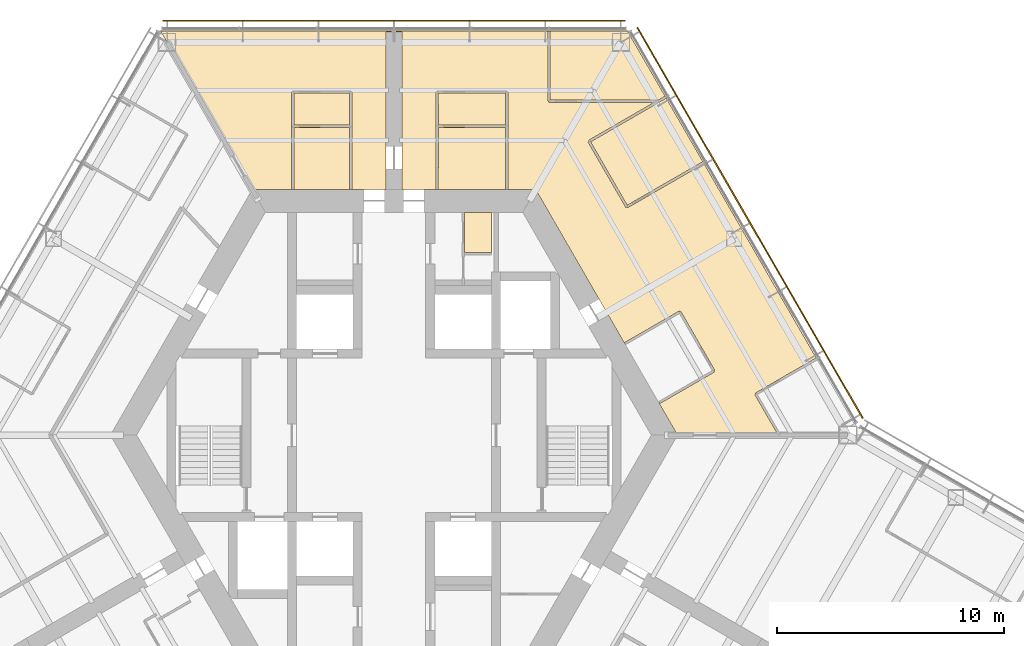
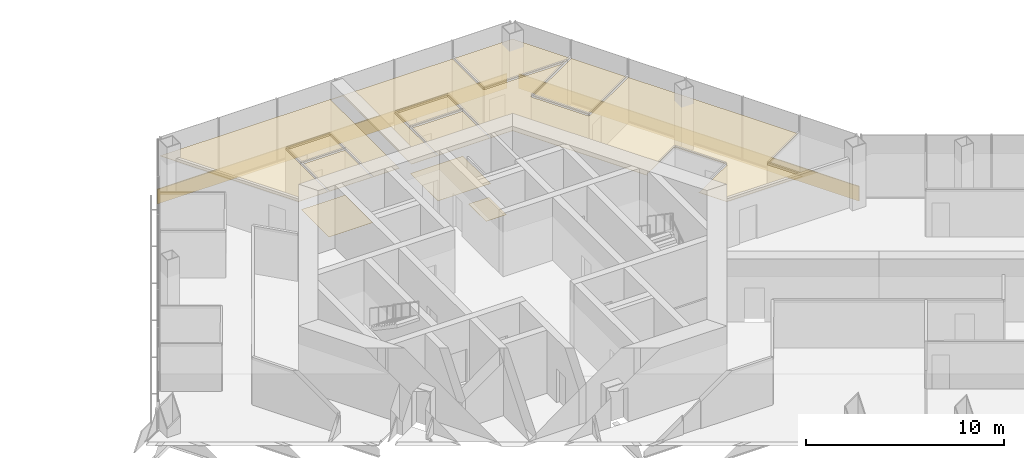
# One storey, part 18 of 18: 11 coverings, 2 shading devices.
"""IFC4 building model written with IfcOpenShell, lengths in metres."""

from ifc_helpers import new_model, si_unit, direction, frame, origin, origin_2d, place, context, subcontext, project, spatial, polyline, rectangle, outline, extrude, material, layer, layer_set, type_object, element, save


model = new_model("IFC4")

# Units and contexts
model_context = context("Model", 3, precision=1e-05, world=origin(), true_north=direction((0.0, 1.0)))
body_context = subcontext(model_context, "Body", "Model", "MODEL_VIEW")
ifc_project = project(units=[si_unit("LENGTHUNIT", "METRE"), si_unit("AREAUNIT", "SQUARE_METRE"), si_unit("VOLUMEUNIT", "CUBIC_METRE"), si_unit("PLANEANGLEUNIT", "RADIAN"), si_unit("MASSUNIT", "GRAM", prefix="KILO")], contexts=[model_context])

# Site, building, storey
site_placement = place(None, origin())
site = spatial("IfcSite", under=ifc_project, at=site_placement, CompositionType="ELEMENT")
building_placement = place(site_placement, origin())
building = spatial("IfcBuilding", under=site, at=building_placement, Name="Kasaneha Research Tower", CompositionType="ELEMENT")
storey_placement = place(building_placement, frame((0.0, 0.0, 144.800048828125)))
storey = spatial("IfcBuildingStorey", under=building, at=storey_placement, Name="L36", CompositionType="ELEMENT", Elevation=144.800048828125)

# Coverings
ifc_material_1 = material(Name="Gypsum ceiling board", Category="gypsum")
ifc_layer_1 = layer(ifc_material_1, 0.02001953125)
ifc_layer_set_1 = layer_set([ifc_layer_1], Name="Suspended ceiling 20")
covering_type_1 = type_object("IfcCoveringType", Name="Suspended ceiling 20", PredefinedType="CEILING", material=ifc_layer_set_1)
covering_1_placement = place(storey_placement, frame((0.0, 0.0, 2.800048828125)))
element("IfcCovering", 1, at=covering_1_placement, inside=storey, type_object=covering_type_1, Name="Ceiling L36-25", PredefinedType="CEILING", context=body_context, shape_type="SweptSolid", body=[
    extrude(outline(polyline([(1.89990234375, 10.824951171875), (1.89990234375, 10.844970703125), (1.949951171875, 10.844970703125), (1.95458984375, 13.570068359375), (4.91650390625, 13.570068359375), (4.9208984375, 10.844970703125), (4.970947265625, 10.844970703125), (4.970947265625, 10.824951171875), (1.89990234375, 10.824951171875)])), origin(), (0.0, 0.0, 1.0), 0.02001953125),
])
covering_2_placement = place(storey_placement, frame((0.0, 0.0, 2.800048828125)))
element("IfcCovering", 2, at=covering_2_placement, inside=storey, type_object=covering_type_1, Name="Ceiling L36-26", PredefinedType="CEILING", context=body_context, shape_type="SweptSolid", body=[
    extrude(outline(polyline([(4.91650390625, 13.669921875), (1.954345703125, 13.669921875), (1.9501953125, 15.074951171875), (4.9208984375, 15.074951171875), (4.91650390625, 13.669921875)])), origin(), (0.0, 0.0, 1.0), 0.02001953125),
])
covering_3_placement = place(storey_placement, frame((0.0, 0.0, 2.800048828125)))
element("IfcCovering", 3, at=covering_3_placement, inside=storey, type_object=covering_type_1, Name="Ceiling L36-28", PredefinedType="CEILING", context=body_context, shape_type="SweptSolid", body=[
    extrude(outline(polyline([(13.640869140625, 12.0146484375), (13.623291015625, 12.004638671875), (13.598388671875, 12.0478515625), (10.281494140625, 10.1328125), (8.666015625, 12.930908203125), (11.685546875, 14.67431640625), (12.000244140625, 14.85595703125), (13.640869140625, 12.0146484375)])), origin(), (0.0, 0.0, 1.0), 0.02001953125),
])
covering_4_placement = place(storey_placement, frame((0.0, 0.0, 2.800048828125)))
element("IfcCovering", 4, at=covering_4_placement, inside=storey, type_object=covering_type_1, Name="Ceiling L36-30", PredefinedType="CEILING", context=body_context, shape_type="SweptSolid", body=[
    extrude(outline(polyline([(11.950439453125, 14.942626953125), (11.654296875, 14.771484375), (6.880859375, 14.7705078125), (6.880859375, 17.800537109375), (6.8310546875, 17.800537109375), (6.8310546875, 17.820556640625), (10.2890625, 17.821044921875), (11.950439453125, 14.942626953125)])), origin(), (0.0, 0.0, 1.0), 0.02001953125),
])
covering_5_placement = place(storey_placement, frame((0.0, 0.0, 2.800048828125)))
element("IfcCovering", 5, at=covering_5_placement, inside=storey, type_object=covering_type_1, Name="Ceiling L36-31", PredefinedType="CEILING", context=body_context, shape_type="SweptSolid", body=[
    extrude(outline(polyline([(14.10009765625, 2.8291015625), (14.142822265625, 2.853759765625), (12.642822265625, 5.451904296875), (12.599853515625, 5.427001953125), (12.599609375, 5.42724609375), (12.599365234375, 5.42724609375), (12.57470703125, 5.47021484375), (10.1669921875, 4.080078125), (10.19189453125, 4.037353515625), (10.174560546875, 4.02734375), (6.249755859375, 10.824951171875), (4.971435546875, 10.824951171875), (4.971435546875, 10.844970703125), (5.02099609375, 10.844970703125), (5.016357421875, 13.625), (5.02099609375, 15.124755859375), (4.971435546875, 15.125), (4.971435546875, 15.12548828125), (4.970947265625, 15.12548828125), (4.970947265625, 15.175048828125), (1.89990234375, 15.175048828125), (1.89990234375, 15.125244140625), (1.899658203125, 15.125244140625), (1.899658203125, 15.125), (1.85009765625, 15.124755859375), (1.8544921875, 13.625), (1.85009765625, 10.844970703125), (1.8994140625, 10.844970703125), (1.8994140625, 10.824951171875), (0.35009765625, 10.824951171875), (0.35009765625, 11.72509765625), (0.35009765625, 12.72509765625), (0.35009765625, 17.7705078125), (0.35009765625, 17.7705078125), (0.0, 17.7705078125), (0.0, 17.820556640625), (6.830322265625, 17.820556640625), (6.830322265625, 17.800537109375), (6.781005859375, 17.800537109375), (6.781005859375, 14.720458984375), (6.83056640625, 14.720458984375), (6.83056640625, 14.719970703125), (6.830810546875, 14.719970703125), (6.830810546875, 14.67041015625), (11.48095703125, 14.671630859375), (8.57275390625, 12.992431640625), (8.59765625, 12.949462890625), (8.597412109375, 12.949462890625), (8.597412109375, 12.948974609375), (8.554443359375, 12.92431640625), (10.219970703125, 10.03955078125), (10.262939453125, 10.064453125), (10.26318359375, 10.06396484375), (10.263427734375, 10.064208984375), (10.2880859375, 10.021240234375), (13.6484375, 11.961181640625), (13.62353515625, 12.004150390625), (13.64111328125, 12.01416015625), (18.636962890625, 3.36083984375), (18.61962890625, 3.350830078125), (18.5947265625, 3.393798828125), (15.927490234375, 1.853759765625), (15.952392578125, 1.810791015625), (15.9521484375, 1.810791015625), (15.9521484375, 1.810302734375), (15.9091796875, 1.785400390625), (16.93994140625, 0.0), (12.49951171875, 0.0), (11.675048828125, 1.428466796875), (11.6923828125, 1.438232421875), (11.717041015625, 1.3955078125), (14.12451171875, 2.785400390625), (14.099609375, 2.828857421875), (14.10009765625, 2.8291015625), (14.10009765625, 2.8291015625)])), origin(), (0.0, 0.0, 1.0), 0.02001953125),
])
covering_6_placement = place(storey_placement, frame((0.0, 0.0, 2.800048828125)))
element("IfcCovering", 6, at=covering_6_placement, inside=storey, type_object=covering_type_1, Name="Ceiling L36-32", PredefinedType="CEILING", context=body_context, shape_type="SweptSolid", body=[
    extrude(outline(polyline([(-4.465087890625, 10.824951171875), (-4.465087890625, 10.844970703125), (-4.4150390625, 10.844970703125), (-4.410400390625, 13.570068359375), (-1.95458984375, 13.570068359375), (-1.949951171875, 10.844970703125), (-1.89990234375, 10.844970703125), (-1.89990234375, 10.824951171875), (-4.465087890625, 10.824951171875)])), origin(), (0.0, 0.0, 1.0), 0.02001953125),
])
covering_7_placement = place(storey_placement, frame((0.0, 0.0, 2.800048828125)))
element("IfcCovering", 7, at=covering_7_placement, inside=storey, type_object=covering_type_1, Name="Ceiling L36-33", PredefinedType="CEILING", context=body_context, shape_type="SweptSolid", body=[
    extrude(outline(polyline([(-1.9501953125, 15.074951171875), (-1.95458984375, 13.669921875), (-4.41064453125, 13.669921875), (-4.414794921875, 15.074951171875), (-1.9501953125, 15.074951171875)])), origin(), (0.0, 0.0, 1.0), 0.02001953125),
])
covering_8_placement = place(storey_placement, frame((0.0, 0.0, 2.800048828125)))
element("IfcCovering", 8, at=covering_8_placement, inside=storey, type_object=covering_type_1, Name="Ceiling L36-34", PredefinedType="CEILING", context=body_context, shape_type="SweptSolid", body=[
    extrude(outline(polyline([(-0.35009765625, 11.72509765625), (-0.35009765625, 10.824951171875), (-1.8994140625, 10.824951171875), (-1.8994140625, 10.844970703125), (-1.85009765625, 10.844970703125), (-1.854736328125, 13.625), (-1.85009765625, 15.124755859375), (-1.89990234375, 15.125), (-1.89990234375, 15.12548828125), (-1.89990234375, 15.175048828125), (-4.465087890625, 15.175048828125), (-4.465087890625, 15.125244140625), (-4.46533203125, 15.125244140625), (-4.46533203125, 15.125), (-4.514892578125, 15.124755859375), (-4.510498046875, 13.625), (-4.514892578125, 10.844970703125), (-4.465576171875, 10.844970703125), (-4.465576171875, 10.824951171875), (-6.249755859375, 10.824951171875), (-10.28857421875, 17.820556640625), (0.0, 17.820556640625), (0.0, 17.7705078125), (-0.35009765625, 17.7705078125), (-0.35009765625, 17.7705078125), (-0.35009765625, 12.72509765625), (-0.35009765625, 11.72509765625)])), origin(), (0.0, 0.0, 1.0), 0.02001953125),
])

# Shading devices
ifc_material_2 = material(Name="Terracotta", Category="masonry")
ifc_layer_2 = layer(ifc_material_2, 0.06005859375)
ifc_layer_set_2 = layer_set([ifc_layer_2], Name="Terracotta baguette screen")
shading_device_type = type_object("IfcShadingDeviceType", Name="Terracotta baguette screen", PredefinedType="USERDEFINED", material=ifc_layer_set_2)
shading_device_1_placement = place(storey_placement, frame((15.696044921875, 9.35498046875, -0.449951171875), z_axis=(0.0, 0.0, 1.0), x_axis=(-0.499999979232, 0.866025415775, 0.0)))
element("IfcShadingDevice", 9, at=shading_device_1_placement, inside=storey, type_object=shading_device_type, Name="Baguette screen L36 06", ObjectType="TERRACOTTA BAGUETTE SCREEN", PredefinedType="USERDEFINED", context=body_context, shape_type="SweptSolid", body=[
    extrude(rectangle(XDim=19.8857421875, YDim=0.06005859375, at=origin_2d()), origin(), (0.0, 0.0, 1.0), 0.89990234375),
])
shading_device_2_placement = place(storey_placement, frame((0.0, 18.2705078125, -0.449951171875), z_axis=(0.0, 0.0, 1.0), x_axis=(-1.0, 0.0, 0.0)))
element("IfcShadingDevice", 10, at=shading_device_2_placement, inside=storey, type_object=shading_device_type, Name="Baguette screen L36 07", ObjectType="TERRACOTTA BAGUETTE SCREEN", PredefinedType="USERDEFINED", context=body_context, shape_type="SweptSolid", body=[
    extrude(rectangle(XDim=20.392822265625, YDim=0.06005859375, at=origin_2d()), origin(), (0.0, 0.0, 1.0), 0.89990234375),
])

# Coverings
ifc_material_3 = material(Name="Vinyl sheet flooring", Category="plastic")
ifc_layer_3 = layer(ifc_material_3, 0.0048828125)
ifc_layer_set_3 = layer_set([ifc_layer_3], Name="Wet room sheet flooring 5")
covering_type_2 = type_object("IfcCoveringType", Name="Wet room sheet flooring 5", PredefinedType="FLOORING", material=ifc_layer_set_3)
covering_9_placement = place(storey_placement, origin())
element("IfcCovering", 11, at=covering_9_placement, inside=storey, type_object=covering_type_2, Name="Floor finish L36-08", PredefinedType="FLOORING", context=body_context, shape_type="SweptSolid", body=[
    extrude(outline(polyline([(4.300048828125, 8.050048828125), (3.10009765625, 8.050048828125), (3.10009765625, 9.824951171875), (4.300048828125, 9.824951171875), (4.300048828125, 8.050048828125)])), origin(), (0.0, 0.0, 1.0), 0.0048828125),
])
covering_10_placement = place(storey_placement, origin())
element("IfcCovering", 12, at=covering_10_placement, inside=storey, type_object=covering_type_2, Name="Floor finish L36-25", PredefinedType="FLOORING", context=body_context, shape_type="SweptSolid", body=[
    extrude(outline(polyline([(4.970947265625, 13.625), (4.970947265625, 10.824951171875), (1.89990234375, 10.824951171875), (1.89990234375, 13.625), (4.970947265625, 13.625)])), origin(), (0.0, 0.0, 1.0), 0.0048828125),
])
covering_11_placement = place(storey_placement, origin())
element("IfcCovering", 13, at=covering_11_placement, inside=storey, type_object=covering_type_2, Name="Floor finish L36-32", PredefinedType="FLOORING", context=body_context, shape_type="SweptSolid", body=[
    extrude(outline(polyline([(-1.89990234375, 13.625), (-1.89990234375, 10.824951171875), (-4.465087890625, 10.824951171875), (-4.465087890625, 13.625), (-1.89990234375, 13.625)])), origin(), (0.0, 0.0, 1.0), 0.0048828125),
])

save(model, "model.ifc")
